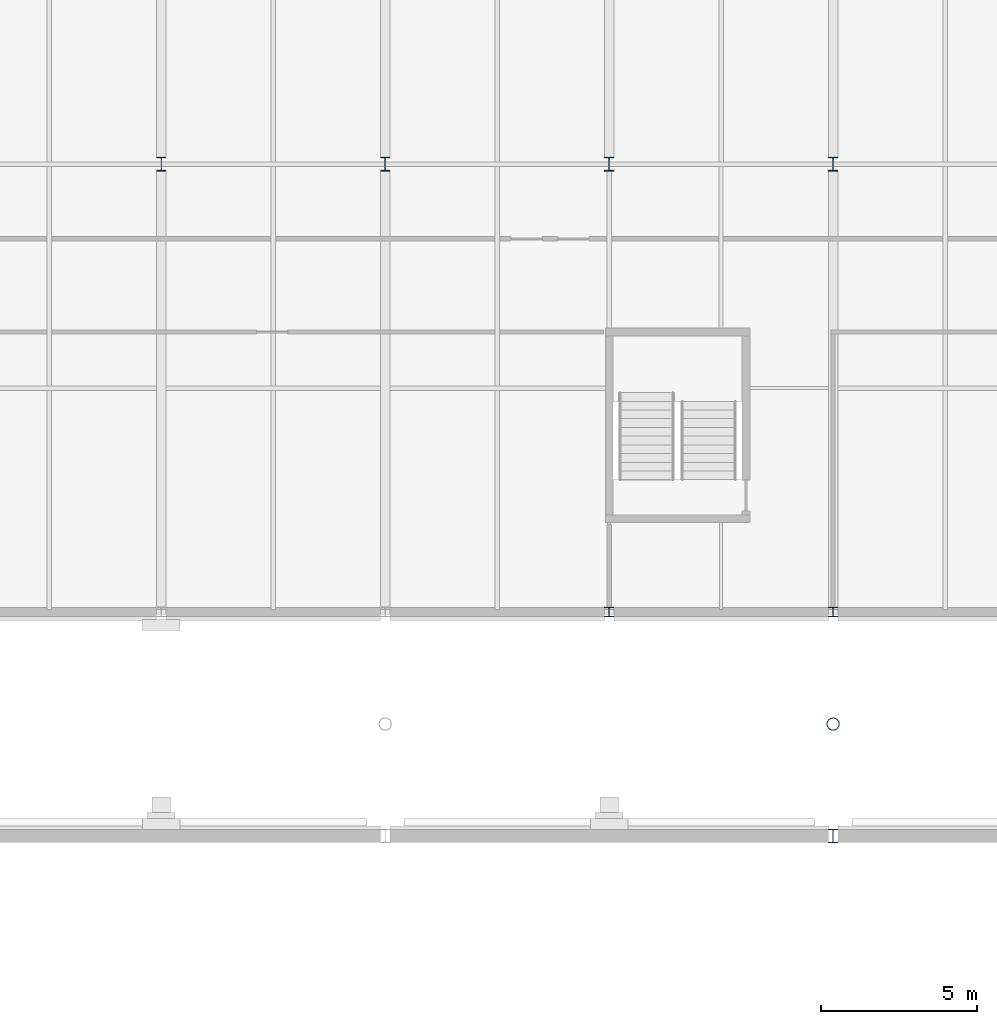
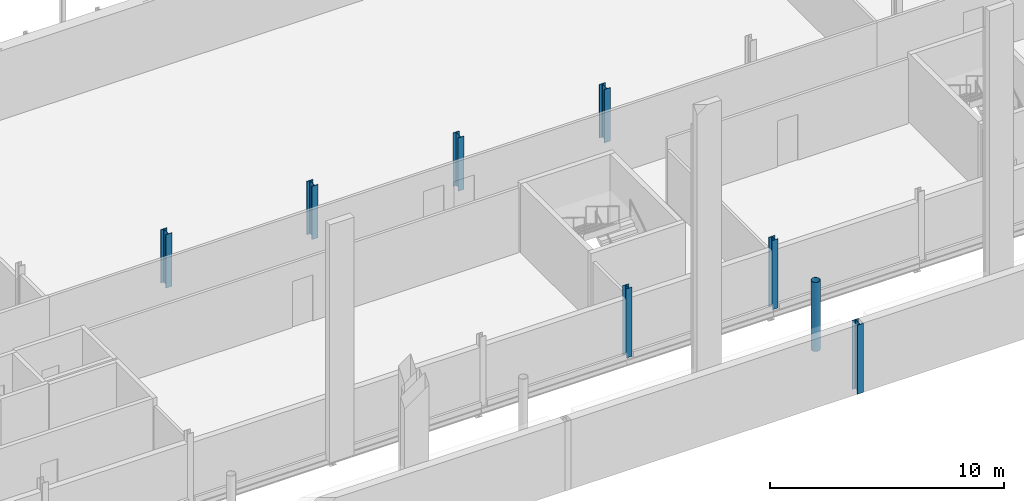
# One storey, part 19 of 90: 8 columns.
"""IFC4 building model written with IfcOpenShell, lengths in metres."""

from ifc_helpers import new_model, si_unit, direction, frame, origin, origin_2d, place, context, subcontext, project, spatial, hollow_circle, i_section, extrude, material, material_profile, profile_set, type_object, element, save


model = new_model("IFC4")

# Units and contexts
model_context = context("Model", 3, precision=1e-05, world=origin(), true_north=direction((0.0, 1.0)))
body_context = subcontext(model_context, "Body", "Model", "MODEL_VIEW")
ifc_project = project(units=[si_unit("LENGTHUNIT", "METRE"), si_unit("AREAUNIT", "SQUARE_METRE"), si_unit("VOLUMEUNIT", "CUBIC_METRE"), si_unit("PLANEANGLEUNIT", "RADIAN"), si_unit("MASSUNIT", "GRAM", prefix="KILO")], contexts=[model_context])

# Site, building, storey
site_placement = place(None, origin())
site = spatial("IfcSite", under=ifc_project, at=site_placement, CompositionType="ELEMENT")
building_placement = place(site_placement, origin())
building = spatial("IfcBuilding", under=site, at=building_placement, Name="Kupolbacken Congress Centre", CompositionType="ELEMENT")
storey_placement = place(building_placement, frame((0.0, 0.0, 3.60009765625)))
storey = spatial("IfcBuildingStorey", under=building, at=storey_placement, Name="L01", CompositionType="ELEMENT", Elevation=3.60009765625)

# Columns
ifc_material_1 = material(Name="Steel S355", Category="steel")
ifc_material_profile_1 = material_profile(ifc_material_1, i_section(OverallWidth=0.300048828125, OverallDepth=0.449951171875, WebThickness=0.013916015625, FlangeThickness=0.02587890625, FilletRadius=0.027099609375, at=origin_2d()), Name="HEB 450")
ifc_profile_set_1 = profile_set([ifc_material_profile_1], Name="Steel S355")
column_type_1 = type_object("IfcColumnType", Name="C03 column HEB 450", PredefinedType="COLUMN", material=ifc_profile_set_1)
for number, where, z_axis, x_axis, name in (
    (1, (158.39990234375, 136.800048828125, 0.0), (0.0, 0.0, 1.0), (1.0, 0.0, 0.0), "S/col/C-B-M1/L01"),
    (2, (165.60009765625, 136.800048828125, 0.0), (0.0, 0.0, 1.0), (1.0, 0.0, 0.0), "S/col/C-B-M2/L01"),
    (3, (172.800048828125, 136.800048828125, 0.0), (0.0, 0.0, 1.0), (1.0, 0.0, 0.0), "S/col/C-B-M3/L01"),
    (4, (180.0, 136.800048828125, 0.0), (0.0, 0.0, 1.0), (1.0, 0.0, 0.0), "S/col/C-B-M4/L01"),
):
    element("IfcColumn", number, at=place(storey_placement, frame(where, z_axis=z_axis, x_axis=x_axis)), inside=storey, type_object=column_type_1, Name=name, PredefinedType="COLUMN", context=body_context, shape_type="SweptSolid", body=[
        extrude(i_section(OverallWidth=0.300048828125, OverallDepth=0.449951171875, WebThickness=0.013916015625, FlangeThickness=0.02587890625, FilletRadius=0.027099609375, at=origin_2d()), origin(), (0.0, 0.0, 1.0), 2.77978515625),
    ])
ifc_material_2 = material(Name="Steel S355", Category="steel")
ifc_material_profile_2 = material_profile(ifc_material_2, i_section(OverallWidth=0.300048828125, OverallDepth=0.300048828125, WebThickness=0.010986328125, FlangeThickness=0.01904296875, FilletRadius=0.027099609375, at=origin_2d()), Name="HEB 300")
ifc_profile_set_2 = profile_set([ifc_material_profile_2], Name="Steel S355")
column_type_2 = type_object("IfcColumnType", Name="C06 column HEB 300", PredefinedType="COLUMN", material=ifc_profile_set_2)
for number, where, z_axis, x_axis, name in (
    (5, (172.800048828125, 122.39990234375, 0.0), (0.0, 0.0, 1.0), (1.0, 0.0, 0.0), "S/col/C-B-B4S/L01"),
    (6, (180.0, 122.39990234375, 0.0), (0.0, 0.0, 1.0), (1.0, 0.0, 0.0), "S/col/C-B-B5S/L01"),
):
    element("IfcColumn", number, at=place(storey_placement, frame(where, z_axis=z_axis, x_axis=x_axis)), inside=storey, type_object=column_type_2, Name=name, PredefinedType="COLUMN", context=body_context, shape_type="SweptSolid", body=[
        extrude(i_section(OverallWidth=0.300048828125, OverallDepth=0.300048828125, WebThickness=0.010986328125, FlangeThickness=0.01904296875, FilletRadius=0.027099609375, at=origin_2d()), origin(), (0.0, 0.0, 1.0), 3.599853515625),
    ])
ifc_material_3 = material(Name="Steel S355", Category="steel")
ifc_material_profile_3 = material_profile(ifc_material_3, i_section(OverallWidth=0.300048828125, OverallDepth=0.43994140625, WebThickness=0.011474609375, FlangeThickness=0.02099609375, FilletRadius=0.027099609375, at=origin_2d()), Name="HEA 450")
ifc_profile_set_3 = profile_set([ifc_material_profile_3], Name="Steel S355")
column_type_3 = type_object("IfcColumnType", Name="C07 column HEA 450", PredefinedType="COLUMN", material=ifc_profile_set_3)
column_1_placement = place(storey_placement, frame((180.0, 115.199951171875, 0.0), z_axis=(0.0, 0.0, 1.0), x_axis=(1.0, 0.0, 0.0)))
element("IfcColumn", 7, at=column_1_placement, inside=storey, type_object=column_type_3, Name="S/col/C-H-T7N/L01", PredefinedType="COLUMN", context=body_context, shape_type="SweptSolid", body=[
    extrude(i_section(OverallWidth=0.300048828125, OverallDepth=0.43994140625, WebThickness=0.011474609375, FlangeThickness=0.02099609375, FilletRadius=0.027099609375, at=origin_2d()), origin(), (0.0, 0.0, 1.0), 3.599853515625),
])
ifc_material_4 = material(Name="Steel S355", Category="steel")
ifc_material_profile_4 = material_profile(ifc_material_4, hollow_circle(Radius=0.203125, WallThickness=0.01611328125, at=origin_2d()), Name="CHS 406.4 x 16")
ifc_profile_set_4 = profile_set([ifc_material_profile_4], Name="Steel S355")
column_type_4 = type_object("IfcColumnType", Name="C15 roof mast CHS 406.4 x 16", PredefinedType="COLUMN", material=ifc_profile_set_4)
column_2_placement = place(storey_placement, frame((180.0, 118.800048828125, 0.0), z_axis=(0.0, 0.0, 1.0), x_axis=(1.0, 0.0, 0.0)))
element("IfcColumn", 8, at=column_2_placement, inside=storey, type_object=column_type_4, Name="Roof mast M7N", PredefinedType="COLUMN", context=body_context, shape_type="SweptSolid", body=[
    extrude(hollow_circle(Radius=0.203125, WallThickness=0.01611328125, at=origin_2d()), origin(), (0.0, 0.0, 1.0), 3.599853515625),
])

save(model, "model.ifc")
